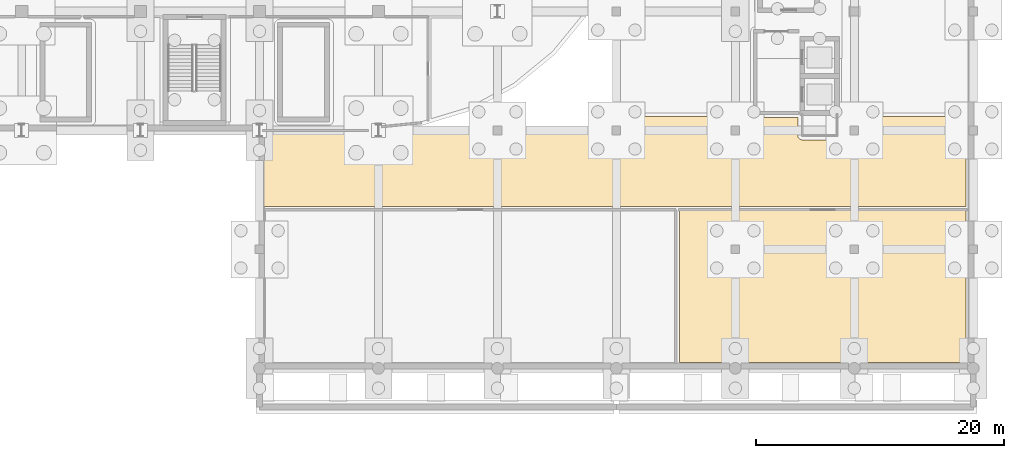
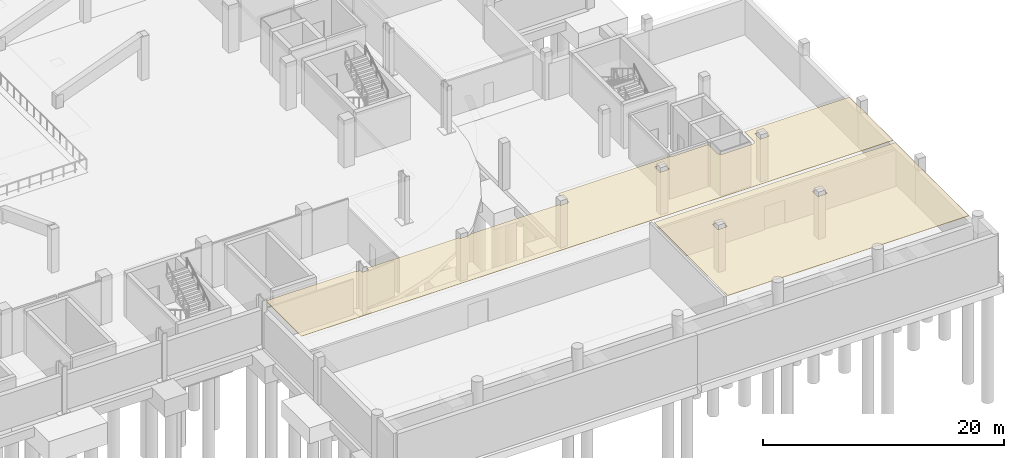
# One storey, part 56 of 67: 2 coverings.
"""IFC4 building model written with IfcOpenShell, lengths in metres."""

import ifcopenshell
import ifcopenshell.guid

model = None  # the IFC model being written
_history = None  # IfcOwnerHistory: only IFC2X3 demands one
_inside = {}  # id of a spatial element -> (the spatial element, [elements in it])
_under = {}  # id of a project, library or spatial element -> (it, [spatial elements below it])
_declared = {}  # id of a project -> (the project, [libraries it declares])
_typed = {}  # id of a type object -> (the type object, [elements of that type])
_made_of = {}  # id of a material, layer set ... -> (it, [elements and type objects made of it])


def new_model(schema):
    """Start an empty IFC model of exactly this schema.

    Asked for "IFC4X3", IfcOpenShell would pick the latest addendum, in which some entities
    have other attributes; the version numbers below select the first issue.
    IFC2X3 requires an IfcOwnerHistory on every rooted entity: one is made here for all.
    """
    global model, _history
    if schema == "IFC4X3":
        model = ifcopenshell.file(schema_version=(4, 3, 0, 0))
    else:
        model = ifcopenshell.file(schema=schema)
    _inside.clear()
    _under.clear()
    _declared.clear()
    _typed.clear()
    _made_of.clear()
    _history = None
    if model.schema == "IFC2X3":
        org = make("IfcOrganization", Name="unknown")
        user = make(
            "IfcPersonAndOrganization",
            ThePerson=make("IfcPerson", FamilyName="unknown"),
            TheOrganization=org,
        )
        app = make(
            "IfcApplication",
            ApplicationDeveloper=org,
            Version="unknown",
            ApplicationFullName="unknown",
            ApplicationIdentifier="unknown",
        )
        _history = make(
            "IfcOwnerHistory",
            OwningUser=user,
            OwningApplication=app,
            ChangeAction="ADDED",
            CreationDate=0,
        )
    return model


def make(cls, **values):
    """One entity of the class cls with the attributes given. An attribute that is None is left unset."""
    return model.create_entity(
        cls, **{name: value for name, value in values.items() if value is not None}
    )


def rooted(cls, **values):
    """An entity with a GlobalId (a new one), such as an element, a storey or a relation."""
    return make(cls, GlobalId=ifcopenshell.guid.new(), OwnerHistory=_history, **values)


def si_unit(unit_type, name, prefix=None):
    """IfcSIUnit, for example si_unit("LENGTHUNIT", "METRE", prefix="MILLI")."""
    return make("IfcSIUnit", UnitType=unit_type, Prefix=prefix, Name=name)


def assignment(units):
    """IfcUnitAssignment: the units of a project."""
    return None if units is None else make("IfcUnitAssignment", Units=units)


def point(xyz):
    """IfcCartesianPoint."""
    return None if xyz is None else make("IfcCartesianPoint", Coordinates=xyz)


def direction(xyz):
    """IfcDirection."""
    return None if xyz is None else make("IfcDirection", DirectionRatios=xyz)


def frame(location, z_axis=None, x_axis=None):
    """IfcAxis2Placement3D, a coordinate frame: its origin and axes. An axis left out is left unset."""
    return make(
        "IfcAxis2Placement3D",
        Location=point(location),
        Axis=direction(z_axis),
        RefDirection=direction(x_axis),
    )


def origin():
    """The frame at (0, 0, 0) with its axes left unset."""
    return frame((0.0, 0.0, 0.0))


def place(relative_to, where):
    """IfcLocalPlacement: puts the frame where relative to a parent placement (None: the world)."""
    return make(
        "IfcLocalPlacement", PlacementRelTo=relative_to, RelativePlacement=where
    )


def context(
    kind, dimensions, precision=None, world=None, true_north=None, identifier=None
):
    """IfcGeometricRepresentationContext, for example the 3D "Model" context."""
    return make(
        "IfcGeometricRepresentationContext",
        ContextIdentifier=identifier,
        ContextType=kind,
        CoordinateSpaceDimension=dimensions,
        Precision=precision,
        WorldCoordinateSystem=world,
        TrueNorth=true_north,
    )


def subcontext(parent, identifier, kind, view, scale=None):
    """IfcGeometricRepresentationSubContext, for example "Body" below "Model"."""
    return make(
        "IfcGeometricRepresentationSubContext",
        ContextIdentifier=identifier,
        ContextType=kind,
        ParentContext=parent,
        TargetScale=scale,
        TargetView=view,
    )


def project(units=None, contexts=None):
    """IfcProject with its units and contexts."""
    return rooted(
        "IfcProject",
        Name="project",
        RepresentationContexts=contexts,
        UnitsInContext=assignment(units),
    )


def spatial(cls, under=None, at=None, **own):
    """A site, building, storey or space (cls), placed at a placement, below another one or the project."""
    s = rooted(cls, ObjectPlacement=at, **own)
    if under is not None:
        _under.setdefault(under.id(), (under, []))[1].append(s)
    return s


def polyline(points):
    """IfcPolyline through the points."""
    return make("IfcPolyline", Points=[point(p) for p in points])


def outline(outer, holes=None, kind="AREA"):
    """IfcArbitraryClosedProfileDef: a profile drawn as a closed curve; with holes, ...WithVoids."""
    if holes is None:
        return make("IfcArbitraryClosedProfileDef", ProfileType=kind, OuterCurve=outer)
    return make(
        "IfcArbitraryProfileDefWithVoids",
        ProfileType=kind,
        OuterCurve=outer,
        InnerCurves=holes,
    )


def extrude(swept, where, along, depth):
    """IfcExtrudedAreaSolid: the profile swept, set in the frame where, extruded along a direction by depth."""
    return make(
        "IfcExtrudedAreaSolid",
        SweptArea=swept,
        Position=where,
        ExtrudedDirection=direction(along),
        Depth=depth,
    )


def shape(context_of_items, identifier, shape_type, items):
    """IfcShapeRepresentation: the items that make up one representation, for example the "Body"."""
    return make(
        "IfcShapeRepresentation",
        ContextOfItems=context_of_items,
        RepresentationIdentifier=identifier,
        RepresentationType=shape_type,
        Items=items,
    )


def material(Name=None, Category=None):
    """IfcMaterial."""
    return make("IfcMaterial", Name=Name, Category=Category)


def layer(
    of_material, thickness, ventilated=None, Name=None, Category=None, Priority=None
):
    """IfcMaterialLayer: one layer of a wall or slab, of a material (None: an air gap)."""
    return make(
        "IfcMaterialLayer",
        Material=of_material,
        LayerThickness=thickness,
        IsVentilated=ventilated,
        Name=Name,
        Category=Category,
        Priority=Priority,
    )


def layer_set(layers, Name=None):
    """IfcMaterialLayerSet."""
    return make("IfcMaterialLayerSet", MaterialLayers=layers, LayerSetName=Name)


def made_of(thing, what):
    """Note that an element or type object is made of a material, layer set ...; save() writes the relation."""
    if what is not None:
        _made_of.setdefault(what.id(), (what, []))[1].append(thing)
    return thing


def type_object(cls, material=None, **own):
    """A type object (cls), such as IfcWallType, which elements share."""
    return made_of(rooted(cls, **own), material)


def element(
    cls,
    number,
    at=None,
    inside=None,
    cuts=None,
    type_object=None,
    material=None,
    context=None,
    identifier="Body",
    shape_type=None,
    held_by="IfcProductDefinitionShape",
    body=None,
    shapes=None,
    **own,
):
    """One element of the class cls, such as IfcWall. Its Tag is "e" and its number.

    at: its placement. inside: the storey or other place that contains it. cuts: it is an
    opening in that element (IfcRelVoidsElement). A single representation is given by context,
    identifier, shape_type and body (its items); several are given by shapes. held_by: the class
    of the entity that holds the representations. save() writes the other relations.
    """
    e = rooted(cls, Tag="e%d" % number, ObjectPlacement=at, **own)
    if body is not None:
        shapes = [shape(context, identifier, shape_type, body)]
    if shapes is not None:
        e.Representation = make(held_by, Representations=shapes)
    if inside is not None:
        _inside.setdefault(inside.id(), (inside, []))[1].append(e)
    if cuts is not None:
        rooted(
            "IfcRelVoidsElement", RelatingBuildingElement=cuts, RelatedOpeningElement=e
        )
    if type_object is not None:
        _typed.setdefault(type_object.id(), (type_object, []))[1].append(e)
    return made_of(e, material)


def aggregate(whole, parts):
    """IfcRelAggregates: a whole, such as a stair, and the parts it consists of."""
    return rooted("IfcRelAggregates", RelatingObject=whole, RelatedObjects=parts)


def save(model, path):
    """Write the relations noted so far, then the file.

    IfcRelAggregates (storeys below a building ...), IfcRelContainedInSpatialStructure (elements
    in a storey), IfcRelDefinesByType, IfcRelAssociatesMaterial and IfcRelDeclares: one each for
    every whole, place, type object, material and project.
    """
    for whole, parts in _under.values():
        aggregate(whole, parts)
    for where, things in _inside.values():
        rooted(
            "IfcRelContainedInSpatialStructure",
            RelatedElements=things,
            RelatingStructure=where,
        )
    for kind, things in _typed.values():
        rooted("IfcRelDefinesByType", RelatedObjects=things, RelatingType=kind)
    for what, things in _made_of.values():
        rooted("IfcRelAssociatesMaterial", RelatedObjects=things, RelatingMaterial=what)
    for by, libraries in _declared.values():
        rooted("IfcRelDeclares", RelatingContext=by, RelatedDefinitions=libraries)
    model.write(path)


model = new_model("IFC4")

# Units and contexts
model_context = context("Model", 3, precision=1e-05, world=origin(), true_north=direction((0.0, 1.0)))
body_context = subcontext(model_context, "Body", "Model", "MODEL_VIEW")
ifc_project = project(units=[si_unit("LENGTHUNIT", "METRE"), si_unit("AREAUNIT", "SQUARE_METRE"), si_unit("VOLUMEUNIT", "CUBIC_METRE"), si_unit("PLANEANGLEUNIT", "RADIAN"), si_unit("MASSUNIT", "GRAM", prefix="KILO")], contexts=[model_context])

# Site, building, storey
site_placement = place(None, origin())
site = spatial("IfcSite", under=ifc_project, at=site_placement, CompositionType="ELEMENT")
building_placement = place(site_placement, origin())
building = spatial("IfcBuilding", under=site, at=building_placement, Name="Caelomonte Colonnade Arena", CompositionType="ELEMENT")
storey_placement = place(building_placement, frame((0.0, 0.0, -4.800048828125)))
storey = spatial("IfcBuildingStorey", under=building, at=storey_placement, Name="B1", CompositionType="ELEMENT", Elevation=-4.800048828125)

# Coverings
ifc_material = material(Name="Perforated acoustic mineral-fibre ceiling")
ifc_layer = layer(ifc_material, 0.0400390625)
ifc_layer_set = layer_set([ifc_layer], Name="Perforated acoustic mineral-fibre ceiling")
covering_type = type_object("IfcCoveringType", Name="INT-CV-CEIL1", PredefinedType="CEILING", material=ifc_layer_set)
covering_1_placement = place(storey_placement, frame((0.0, 0.0, 4.420166015625)))
element("IfcCovering", 1, at=covering_1_placement, inside=storey, type_object=covering_type, Name="B1 South Plant Access Concourse acoustic ceiling", PredefinedType="CEILING", context=body_context, shape_type="SweptSolid", body=[
    extrude(outline(polyline([(134.702392578125, 18.6337890625), (134.699951171875, 18.628662109375), (134.699951171875, 13.080078125), (191.419921875, 13.080078125), (191.419921875, 20.320068359375), (181.360107421875, 20.320068359375), (181.360107421875, 18.800048828125), (181.35986328125, 18.796142578125), (181.358642578125, 18.7685546875), (181.35791015625, 18.7607421875), (181.353759765625, 18.733642578125), (181.352294921875, 18.725830078125), (181.345458984375, 18.69921875), (181.34326171875, 18.69189453125), (181.333984375, 18.666015625), (181.3310546875, 18.65869140625), (181.3193359375, 18.6337890625), (181.315673828125, 18.626953125), (181.301513671875, 18.603271484375), (181.297119140625, 18.5966796875), (181.28076171875, 18.57470703125), (181.275634765625, 18.568603515625), (181.25732421875, 18.54833984375), (181.251708984375, 18.542724609375), (181.2314453125, 18.5244140625), (181.225341796875, 18.519287109375), (181.203125, 18.5029296875), (181.19677734375, 18.49853515625), (181.173095703125, 18.484375), (181.166259765625, 18.480712890625), (181.141357421875, 18.468994140625), (181.134033203125, 18.466064453125), (181.108154296875, 18.456787109375), (181.1005859375, 18.45458984375), (181.07421875, 18.44775390625), (181.06640625, 18.4462890625), (181.039306640625, 18.442138671875), (181.031494140625, 18.44140625), (181.00390625, 18.440185546875), (181.0, 18.43994140625), (178.199951171875, 18.43994140625), (178.196044921875, 18.440185546875), (178.168701171875, 18.44140625), (178.160888671875, 18.442138671875), (178.133544921875, 18.4462890625), (178.1259765625, 18.44775390625), (178.099365234375, 18.45458984375), (178.091796875, 18.456787109375), (178.06591796875, 18.466064453125), (178.05859375, 18.468994140625), (178.03369140625, 18.480712890625), (178.02685546875, 18.484375), (178.00341796875, 18.49853515625), (177.996826171875, 18.5029296875), (177.974609375, 18.519287109375), (177.968505859375, 18.5244140625), (177.9482421875, 18.542724609375), (177.942626953125, 18.54833984375), (177.92431640625, 18.568603515625), (177.919189453125, 18.57470703125), (177.90283203125, 18.5966796875), (177.898681640625, 18.603271484375), (177.884521484375, 18.626953125), (177.880615234375, 18.6337890625), (177.868896484375, 18.65869140625), (177.865966796875, 18.666015625), (177.856689453125, 18.69189453125), (177.8544921875, 18.69921875), (177.847900390625, 18.725830078125), (177.84619140625, 18.733642578125), (177.84228515625, 18.7607421875), (177.84130859375, 18.7685546875), (177.840087890625, 18.796142578125), (177.840087890625, 18.800048828125), (177.840087890625, 20.2421875), (177.839111328125, 20.2421875), (177.831298828125, 20.241455078125), (177.803955078125, 20.239990234375), (177.800048828125, 20.239990234375), (174.39990234375, 20.239990234375), (174.39599609375, 20.239990234375), (174.36865234375, 20.241455078125), (174.36083984375, 20.2421875), (174.33349609375, 20.24609375), (174.325927734375, 20.247802734375), (174.29931640625, 20.25439453125), (174.291748046875, 20.256591796875), (174.265869140625, 20.26611328125), (174.258544921875, 20.26904296875), (174.23388671875, 20.28076171875), (174.226806640625, 20.284423828125), (174.203369140625, 20.298583984375), (174.19677734375, 20.302978515625), (174.1748046875, 20.3193359375), (174.173828125, 20.320068359375), (163.5, 20.320068359375), (163.5, 19.64501953125), (163.56494140625, 19.64501953125), (163.57275390625, 19.64453125), (163.58056640625, 19.6435546875), (163.588134765625, 19.6416015625), (163.595703125, 19.638916015625), (163.602783203125, 19.635498046875), (163.609375, 19.631591796875), (163.61572265625, 19.626708984375), (163.62158203125, 19.62158203125), (163.626708984375, 19.61572265625), (163.631591796875, 19.609375), (163.635498046875, 19.602783203125), (163.638916015625, 19.595703125), (163.6416015625, 19.588134765625), (163.6435546875, 19.58056640625), (163.64453125, 19.57275390625), (163.64501953125, 19.56494140625), (163.64501953125, 18.8349609375), (163.64453125, 18.8271484375), (163.6435546875, 18.8193359375), (163.6416015625, 18.811767578125), (163.638916015625, 18.804443359375), (163.635498046875, 18.79736328125), (163.631591796875, 18.79052734375), (163.626708984375, 18.7841796875), (163.62158203125, 18.7783203125), (163.61572265625, 18.773193359375), (163.609375, 18.7685546875), (163.602783203125, 18.764404296875), (163.595703125, 18.760986328125), (163.588134765625, 18.75830078125), (163.58056640625, 18.756591796875), (163.57275390625, 18.75537109375), (163.56494140625, 18.7548828125), (162.8349609375, 18.7548828125), (162.8271484375, 18.75537109375), (162.8193359375, 18.756591796875), (162.811767578125, 18.75830078125), (162.804443359375, 18.760986328125), (162.79736328125, 18.764404296875), (162.79052734375, 18.7685546875), (162.7841796875, 18.773193359375), (162.7783203125, 18.7783203125), (162.773193359375, 18.7841796875), (162.7685546875, 18.79052734375), (162.764404296875, 18.79736328125), (162.760986328125, 18.804443359375), (162.75830078125, 18.811767578125), (162.756591796875, 18.8193359375), (162.75537109375, 18.8271484375), (162.7548828125, 18.8349609375), (162.7548828125, 18.89990234375), (154.044921875, 18.89990234375), (154.044921875, 18.8349609375), (154.044677734375, 18.8271484375), (154.04345703125, 18.8193359375), (154.04150390625, 18.811767578125), (154.038818359375, 18.804443359375), (154.03564453125, 18.79736328125), (154.031494140625, 18.79052734375), (154.02685546875, 18.7841796875), (154.021484375, 18.7783203125), (154.015869140625, 18.773193359375), (154.009521484375, 18.7685546875), (154.002685546875, 18.764404296875), (153.99560546875, 18.760986328125), (153.98828125, 18.75830078125), (153.980712890625, 18.756591796875), (153.972900390625, 18.75537109375), (153.965087890625, 18.7548828125), (153.235107421875, 18.7548828125), (153.227294921875, 18.75537109375), (153.219482421875, 18.756591796875), (153.2119140625, 18.75830078125), (153.204345703125, 18.760986328125), (153.197265625, 18.764404296875), (153.190673828125, 18.7685546875), (153.18408203125, 18.773193359375), (153.178466796875, 18.7783203125), (153.173095703125, 18.7841796875), (153.16845703125, 18.79052734375), (153.164306640625, 18.79736328125), (153.1611328125, 18.804443359375), (153.158447265625, 18.811767578125), (153.156494140625, 18.8193359375), (153.155517578125, 18.8271484375), (153.155029296875, 18.8349609375), (153.155029296875, 18.89990234375), (144.30859375, 18.89990234375), (144.30859375, 18.664306640625), (144.30810546875, 18.656494140625), (144.306884765625, 18.648681640625), (144.30517578125, 18.64111328125), (144.302490234375, 18.6337890625), (144.299072265625, 18.626708984375), (144.294921875, 18.619873046875), (144.290283203125, 18.613525390625), (144.28515625, 18.607666015625), (144.279296875, 18.6025390625), (144.27294921875, 18.597900390625), (144.26611328125, 18.59375), (144.259033203125, 18.59033203125), (144.251708984375, 18.587646484375), (144.244140625, 18.585693359375), (144.236328125, 18.584716796875), (144.228515625, 18.584228515625), (143.771484375, 18.584228515625), (143.763671875, 18.584716796875), (143.755859375, 18.585693359375), (143.748291015625, 18.587646484375), (143.740966796875, 18.59033203125), (143.73388671875, 18.59375), (143.72705078125, 18.597900390625), (143.720703125, 18.6025390625), (143.71484375, 18.607666015625), (143.709716796875, 18.613525390625), (143.705078125, 18.619873046875), (143.700927734375, 18.626708984375), (143.697509765625, 18.6337890625), (143.69482421875, 18.64111328125), (143.693115234375, 18.648681640625), (143.69189453125, 18.656494140625), (143.69140625, 18.664306640625), (143.69140625, 18.89990234375), (143.39990234375, 18.89990234375), (143.39599609375, 18.900146484375), (143.37451171875, 18.901123046875), (143.36669921875, 18.90185546875), (143.34521484375, 18.905029296875), (143.337646484375, 18.906494140625), (143.316650390625, 18.911865234375), (143.30908203125, 18.9140625), (143.288818359375, 18.92138671875), (143.281494140625, 18.92431640625), (143.26220703125, 18.93359375), (143.255126953125, 18.9375), (143.236572265625, 18.948486328125), (143.22998046875, 18.952880859375), (143.212890625, 18.9658203125), (143.206787109375, 18.970703125), (143.190673828125, 18.985107421875), (143.185302734375, 18.99072265625), (143.1767578125, 19.0), (134.70849609375, 19.0), (134.70849609375, 18.664306640625), (134.7080078125, 18.656494140625), (134.70703125, 18.648681640625), (134.705078125, 18.64111328125), (134.702392578125, 18.6337890625)]), holes=[polyline([(181.955322265625, 18.8271484375), (181.955078125, 18.8349609375), (181.955078125, 19.56494140625), (181.955322265625, 19.57275390625), (181.95654296875, 19.58056640625), (181.95849609375, 19.588134765625), (181.961181640625, 19.595703125), (181.96435546875, 19.602783203125), (181.968505859375, 19.609375), (181.97314453125, 19.61572265625), (181.978515625, 19.62158203125), (181.984130859375, 19.626708984375), (181.990478515625, 19.631591796875), (181.997314453125, 19.635498046875), (182.00439453125, 19.638916015625), (182.01171875, 19.6416015625), (182.019287109375, 19.6435546875), (182.027099609375, 19.64453125), (182.034912109375, 19.64501953125), (182.764892578125, 19.64501953125), (182.772705078125, 19.64453125), (182.780517578125, 19.6435546875), (182.7880859375, 19.6416015625), (182.795654296875, 19.638916015625), (182.802734375, 19.635498046875), (182.809326171875, 19.631591796875), (182.81591796875, 19.626708984375), (182.821533203125, 19.62158203125), (182.826904296875, 19.61572265625), (182.83154296875, 19.609375), (182.835693359375, 19.602783203125), (182.8388671875, 19.595703125), (182.841552734375, 19.588134765625), (182.843505859375, 19.58056640625), (182.844482421875, 19.57275390625), (182.844970703125, 19.56494140625), (182.844970703125, 18.8349609375), (182.844482421875, 18.8271484375), (182.843505859375, 18.8193359375), (182.841552734375, 18.811767578125), (182.8388671875, 18.804443359375), (182.835693359375, 18.79736328125), (182.83154296875, 18.79052734375), (182.826904296875, 18.7841796875), (182.821533203125, 18.7783203125), (182.81591796875, 18.773193359375), (182.809326171875, 18.7685546875), (182.802734375, 18.764404296875), (182.795654296875, 18.760986328125), (182.7880859375, 18.75830078125), (182.780517578125, 18.756591796875), (182.772705078125, 18.75537109375), (182.764892578125, 18.7548828125), (182.034912109375, 18.7548828125), (182.027099609375, 18.75537109375), (182.019287109375, 18.756591796875), (182.01171875, 18.75830078125), (182.00439453125, 18.760986328125), (181.997314453125, 18.764404296875), (181.990478515625, 18.7685546875), (181.984130859375, 18.773193359375), (181.978515625, 18.7783203125), (181.97314453125, 18.7841796875), (181.968505859375, 18.79052734375), (181.96435546875, 18.79736328125), (181.961181640625, 18.804443359375), (181.95849609375, 18.811767578125), (181.95654296875, 18.8193359375), (181.955322265625, 18.8271484375)]), polyline([(172.35546875, 18.8271484375), (172.35498046875, 18.8349609375), (172.35498046875, 19.56494140625), (172.35546875, 19.57275390625), (172.3564453125, 19.58056640625), (172.3583984375, 19.588134765625), (172.361083984375, 19.595703125), (172.364501953125, 19.602783203125), (172.368408203125, 19.609375), (172.373291015625, 19.61572265625), (172.37841796875, 19.62158203125), (172.38427734375, 19.626708984375), (172.390625, 19.631591796875), (172.397216796875, 19.635498046875), (172.404296875, 19.638916015625), (172.411865234375, 19.6416015625), (172.41943359375, 19.6435546875), (172.42724609375, 19.64453125), (172.43505859375, 19.64501953125), (173.1650390625, 19.64501953125), (173.1728515625, 19.64453125), (173.1806640625, 19.6435546875), (173.188232421875, 19.6416015625), (173.195556640625, 19.638916015625), (173.20263671875, 19.635498046875), (173.20947265625, 19.631591796875), (173.2158203125, 19.626708984375), (173.2216796875, 19.62158203125), (173.226806640625, 19.61572265625), (173.2314453125, 19.609375), (173.235595703125, 19.602783203125), (173.239013671875, 19.595703125), (173.24169921875, 19.588134765625), (173.243408203125, 19.58056640625), (173.24462890625, 19.57275390625), (173.2451171875, 19.56494140625), (173.2451171875, 18.8349609375), (173.24462890625, 18.8271484375), (173.243408203125, 18.8193359375), (173.24169921875, 18.811767578125), (173.239013671875, 18.804443359375), (173.235595703125, 18.79736328125), (173.2314453125, 18.79052734375), (173.226806640625, 18.7841796875), (173.2216796875, 18.7783203125), (173.2158203125, 18.773193359375), (173.20947265625, 18.7685546875), (173.20263671875, 18.764404296875), (173.195556640625, 18.760986328125), (173.188232421875, 18.75830078125), (173.1806640625, 18.756591796875), (173.1728515625, 18.75537109375), (173.1650390625, 18.7548828125), (172.43505859375, 18.7548828125), (172.42724609375, 18.75537109375), (172.41943359375, 18.756591796875), (172.411865234375, 18.75830078125), (172.404296875, 18.760986328125), (172.397216796875, 18.764404296875), (172.390625, 18.7685546875), (172.38427734375, 18.773193359375), (172.37841796875, 18.7783203125), (172.373291015625, 18.7841796875), (172.368408203125, 18.79052734375), (172.364501953125, 18.79736328125), (172.361083984375, 18.804443359375), (172.3583984375, 18.811767578125), (172.3564453125, 18.8193359375), (172.35546875, 18.8271484375)])]), origin(), (0.0, 0.0, 1.0), 0.039794921875),
])
covering_2_placement = place(storey_placement, frame((0.0, 0.0, 4.420166015625)))
element("IfcCovering", 2, at=covering_2_placement, inside=storey, type_object=covering_type, Name="B1 Fire Pump and Booster Room acoustic ceiling", PredefinedType="CEILING", context=body_context, shape_type="SweptSolid", body=[
    extrude(outline(polyline([(182.41259765625, 0.569091796875), (182.420654296875, 0.5673828125), (182.665771484375, 0.501708984375), (182.673583984375, 0.4990234375), (182.681396484375, 0.49560546875), (182.688720703125, 0.491455078125), (182.690673828125, 0.489990234375), (182.889892578125, 0.489990234375), (182.889892578125, 0.47998046875), (191.419921875, 0.47998046875), (191.419921875, 12.719970703125), (168.280029296875, 12.719970703125), (168.280029296875, 0.47998046875), (172.31005859375, 0.47998046875), (172.31005859375, 0.489990234375), (172.509521484375, 0.489990234375), (172.511474609375, 0.491455078125), (172.518798828125, 0.49560546875), (172.5263671875, 0.4990234375), (172.5341796875, 0.501708984375), (172.779296875, 0.5673828125), (172.78759765625, 0.569091796875), (172.7958984375, 0.56982421875), (172.80419921875, 0.56982421875), (172.8125, 0.569091796875), (172.82080078125, 0.5673828125), (173.065673828125, 0.501708984375), (173.07373046875, 0.4990234375), (173.081298828125, 0.49560546875), (173.088623046875, 0.491455078125), (173.090576171875, 0.489990234375), (173.2900390625, 0.489990234375), (173.2900390625, 0.47998046875), (181.909912109375, 0.47998046875), (181.909912109375, 0.489990234375), (182.109375, 0.489990234375), (182.111328125, 0.491455078125), (182.11865234375, 0.49560546875), (182.126220703125, 0.4990234375), (182.13427734375, 0.501708984375), (182.37939453125, 0.5673828125), (182.387451171875, 0.569091796875), (182.395751953125, 0.56982421875), (182.404296875, 0.56982421875), (182.41259765625, 0.569091796875)]), holes=[polyline([(181.955322265625, 9.227294921875), (181.955078125, 9.235107421875), (181.955078125, 9.965087890625), (181.955322265625, 9.972900390625), (181.95654296875, 9.980712890625), (181.95849609375, 9.98828125), (181.961181640625, 9.99560546875), (181.96435546875, 10.002685546875), (181.968505859375, 10.009521484375), (181.97314453125, 10.015869140625), (181.978515625, 10.021484375), (181.984130859375, 10.02685546875), (181.990478515625, 10.031494140625), (181.997314453125, 10.03564453125), (182.00439453125, 10.038818359375), (182.01171875, 10.04150390625), (182.019287109375, 10.04345703125), (182.027099609375, 10.044677734375), (182.034912109375, 10.044921875), (182.764892578125, 10.044921875), (182.772705078125, 10.044677734375), (182.780517578125, 10.04345703125), (182.7880859375, 10.04150390625), (182.795654296875, 10.038818359375), (182.802734375, 10.03564453125), (182.809326171875, 10.031494140625), (182.81591796875, 10.02685546875), (182.821533203125, 10.021484375), (182.826904296875, 10.015869140625), (182.83154296875, 10.009521484375), (182.835693359375, 10.002685546875), (182.8388671875, 9.99560546875), (182.841552734375, 9.98828125), (182.843505859375, 9.980712890625), (182.844482421875, 9.972900390625), (182.844970703125, 9.965087890625), (182.844970703125, 9.235107421875), (182.844482421875, 9.227294921875), (182.843505859375, 9.219482421875), (182.841552734375, 9.2119140625), (182.8388671875, 9.204345703125), (182.835693359375, 9.197265625), (182.83154296875, 9.190673828125), (182.826904296875, 9.18408203125), (182.821533203125, 9.178466796875), (182.81591796875, 9.173095703125), (182.809326171875, 9.16845703125), (182.802734375, 9.164306640625), (182.795654296875, 9.1611328125), (182.7880859375, 9.158447265625), (182.780517578125, 9.156494140625), (182.772705078125, 9.155517578125), (182.764892578125, 9.155029296875), (182.034912109375, 9.155029296875), (182.027099609375, 9.155517578125), (182.019287109375, 9.156494140625), (182.01171875, 9.158447265625), (182.00439453125, 9.1611328125), (181.997314453125, 9.164306640625), (181.990478515625, 9.16845703125), (181.984130859375, 9.173095703125), (181.978515625, 9.178466796875), (181.97314453125, 9.18408203125), (181.968505859375, 9.190673828125), (181.96435546875, 9.197265625), (181.961181640625, 9.204345703125), (181.95849609375, 9.2119140625), (181.95654296875, 9.219482421875), (181.955322265625, 9.227294921875)]), polyline([(172.42724609375, 10.044677734375), (172.43505859375, 10.044921875), (173.1650390625, 10.044921875), (173.1728515625, 10.044677734375), (173.1806640625, 10.04345703125), (173.188232421875, 10.04150390625), (173.195556640625, 10.038818359375), (173.20263671875, 10.03564453125), (173.20947265625, 10.031494140625), (173.2158203125, 10.02685546875), (173.2216796875, 10.021484375), (173.226806640625, 10.015869140625), (173.2314453125, 10.009521484375), (173.235595703125, 10.002685546875), (173.239013671875, 9.99560546875), (173.24169921875, 9.98828125), (173.243408203125, 9.980712890625), (173.24462890625, 9.972900390625), (173.2451171875, 9.965087890625), (173.2451171875, 9.235107421875), (173.24462890625, 9.227294921875), (173.243408203125, 9.219482421875), (173.24169921875, 9.2119140625), (173.239013671875, 9.204345703125), (173.235595703125, 9.197265625), (173.2314453125, 9.190673828125), (173.226806640625, 9.18408203125), (173.2216796875, 9.178466796875), (173.2158203125, 9.173095703125), (173.20947265625, 9.16845703125), (173.20263671875, 9.164306640625), (173.195556640625, 9.1611328125), (173.188232421875, 9.158447265625), (173.1806640625, 9.156494140625), (173.1728515625, 9.155517578125), (173.1650390625, 9.155029296875), (172.43505859375, 9.155029296875), (172.42724609375, 9.155517578125), (172.41943359375, 9.156494140625), (172.411865234375, 9.158447265625), (172.404296875, 9.1611328125), (172.397216796875, 9.164306640625), (172.390625, 9.16845703125), (172.38427734375, 9.173095703125), (172.37841796875, 9.178466796875), (172.373291015625, 9.18408203125), (172.368408203125, 9.190673828125), (172.364501953125, 9.197265625), (172.361083984375, 9.204345703125), (172.3583984375, 9.2119140625), (172.3564453125, 9.219482421875), (172.35546875, 9.227294921875), (172.35498046875, 9.235107421875), (172.35498046875, 9.965087890625), (172.35546875, 9.972900390625), (172.3564453125, 9.980712890625), (172.3583984375, 9.98828125), (172.361083984375, 9.99560546875), (172.364501953125, 10.002685546875), (172.368408203125, 10.009521484375), (172.373291015625, 10.015869140625), (172.37841796875, 10.021484375), (172.38427734375, 10.02685546875), (172.390625, 10.031494140625), (172.397216796875, 10.03564453125), (172.404296875, 10.038818359375), (172.411865234375, 10.04150390625), (172.41943359375, 10.04345703125), (172.42724609375, 10.044677734375)])]), origin(), (0.0, 0.0, 1.0), 0.039794921875),
])

save(model, "model.ifc")
